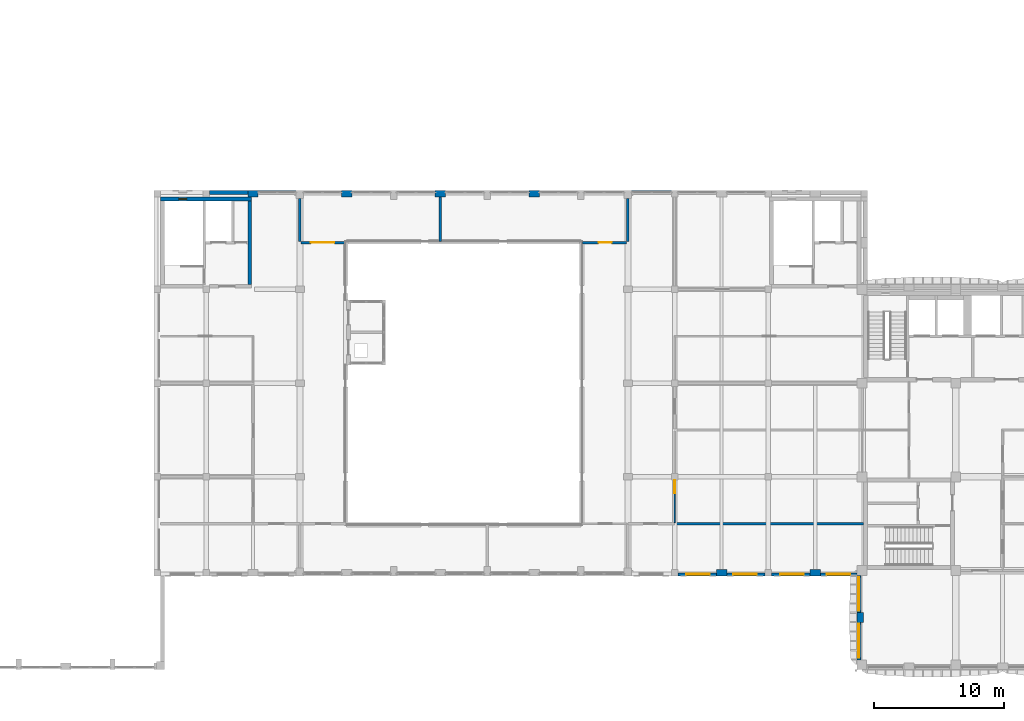
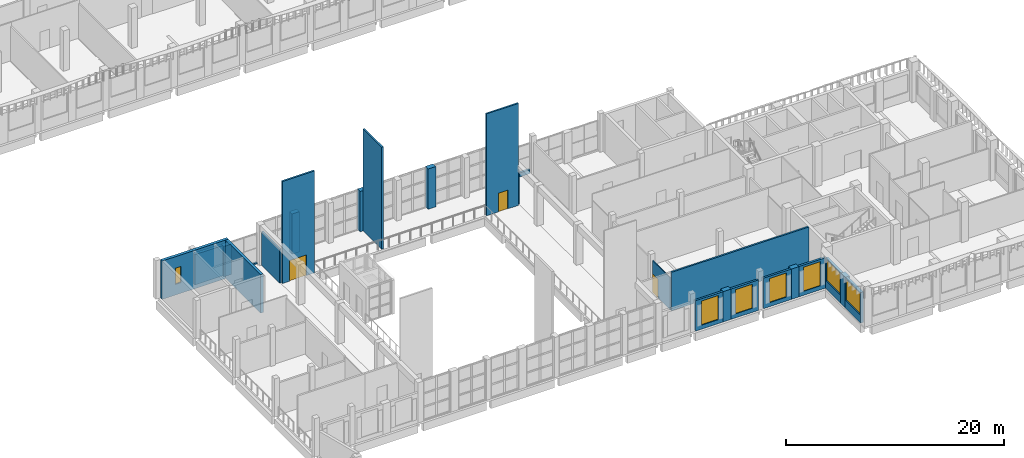
# One storey, part 19 of 54: 25 walls, 7 windows, 3 doors, 10 openings.
"""IFC4 building model written with IfcOpenShell, lengths in metres."""

from ifc_helpers import new_model, si_unit, direction, frame, frame_2d, origin, place, context, subcontext, project, spatial, rectangle, extrude, material, layer, layer_set, type_object, element, fill, save


model = new_model("IFC4")

# Units and contexts
model_context = context("Model", 3, precision=1e-05, world=origin(), true_north=direction((0.0, 1.0)))
body_context = subcontext(model_context, "Body", "Model", "MODEL_VIEW")
ifc_project = project(units=[si_unit("LENGTHUNIT", "METRE"), si_unit("AREAUNIT", "SQUARE_METRE"), si_unit("VOLUMEUNIT", "CUBIC_METRE"), si_unit("PLANEANGLEUNIT", "RADIAN"), si_unit("MASSUNIT", "GRAM", prefix="KILO")], contexts=[model_context])

# Site, building, storey
site_placement = place(None, origin())
site = spatial("IfcSite", under=ifc_project, at=site_placement, CompositionType="ELEMENT")
building_placement = place(site_placement, origin())
building = spatial("IfcBuilding", under=site, at=building_placement, Name="Ussher Court Research Institute", CompositionType="ELEMENT")
storey_placement = place(building_placement, frame((0.0, 0.0, 14.39990234375)))
storey = spatial("IfcBuildingStorey", under=building, at=storey_placement, Name="L03", CompositionType="ELEMENT", Elevation=14.39990234375)

# Wall
ifc_material_1 = material(Name="Plasterboard on steel studs with mineral wool", Category="steel")
ifc_layer_1 = layer(ifc_material_1, 0.179931640625)
ifc_layer_set_1 = layer_set([ifc_layer_1], Name="Plasterboard on steel studs with mineral wool")
wall_type_1 = type_object("IfcWallType", Name="Acoustic twin-stud partition 180", PredefinedType="PARTITIONING", material=ifc_layer_set_1)
wall_1_placement = place(storey_placement, frame((67.800048828125, 14.800048828125, 0.0), z_axis=(0.0, 0.0, 1.0), x_axis=(1.0, 0.0, 0.0)))
element("IfcWall", 1, at=wall_1_placement, inside=storey, type_object=wall_type_1, Name="Partition", PredefinedType="PARTITIONING", context=body_context, shape_type="SweptSolid", body=[
    extrude(rectangle(XDim=14.5, YDim=0.179931640625, at=frame_2d((7.25, 0.0))), origin(), (0.0, 0.0, 1.0), 4.300048828125),
])

# Wall, opening, door
wall_2_placement = place(storey_placement, frame((42.5, 36.39990234375, 0.0), z_axis=(0.0, 0.0, 1.0), x_axis=(-1.0, 0.0, 0.0)))
wall_2 = element("IfcWall", 2, at=wall_2_placement, inside=storey, type_object=wall_type_1, Name="Partition", PredefinedType="PARTITIONING", context=body_context, shape_type="SweptSolid", body=[
    extrude(rectangle(XDim=3.39990234375, YDim=0.179931640625, at=frame_2d((1.699951171875, 0.0))), origin(), (0.0, 0.0, 1.0), 11.400146484375),
])
opening_1_placement = place(wall_2_placement, frame((0.85009765625, 0.0, 0.0)))
opening_1 = element("IfcOpeningElement", 3, at=opening_1_placement, cuts=wall_2, Name="Opening D03016", PredefinedType="OPENING", context=body_context, shape_type="SweptSolid", body=[
    extrude(rectangle(XDim=1.800048828125, YDim=2.300048828125, at=frame_2d((0.89990234375, 1.14990234375))), frame((0.0, 0.10009765625, 0.0), z_axis=(0.0, -1.0, 0.0), x_axis=(1.0, 0.0, 0.0)), (0.0, 0.0, 1.0), 0.199951171875),
])
ifc_material_2 = material(Name="Veneered timber door", Category="wood")
door_type_1 = type_object("IfcDoorType", Name="Exhibition door 1800x2300 double leaf", OperationType="DOUBLE_DOOR_SINGLE_SWING", PredefinedType="DOOR", material=ifc_material_2)
door_1_placement = place(opening_1_placement, origin())
door_1 = element("IfcDoor", 4, at=door_1_placement, inside=storey, type_object=door_type_1, Name="Door D03016", OperationType="SINGLE_SWING_LEFT", OverallHeight=2.300048828125, OverallWidth=1.800048828125, PredefinedType="DOOR", context=body_context, shape_type="SweptSolid", body=[
    extrude(rectangle(XDim=1.800048828125, YDim=2.300048828125, at=frame_2d((0.89990234375, 1.14990234375))), frame((0.0, 0.02490234375, 0.0), z_axis=(0.0, -1.0, 0.0), x_axis=(1.0, 0.0, 0.0)), (0.0, 0.0, 1.0), 0.050048828125),
])
fill(opening_1, door_1)

wall_3_placement = place(storey_placement, frame((60.699951171875, 36.39990234375, 0.0), z_axis=(0.0, 0.0, 1.0), x_axis=(1.0, 0.0, 0.0)))
wall_3 = element("IfcWall", 5, at=wall_3_placement, inside=storey, type_object=wall_type_1, Name="Partition", PredefinedType="PARTITIONING", context=body_context, shape_type="SweptSolid", body=[
    extrude(rectangle(XDim=3.400146484375, YDim=0.179931640625, at=frame_2d((1.7001953125, 0.0))), origin(), (0.0, 0.0, 1.0), 11.400146484375),
])
opening_2_placement = place(wall_3_placement, frame((1.25, 0.0, 0.0)))
opening_2 = element("IfcOpeningElement", 6, at=opening_2_placement, cuts=wall_3, Name="Opening D03028", PredefinedType="OPENING", context=body_context, shape_type="SweptSolid", body=[
    extrude(rectangle(XDim=1.0, YDim=2.10009765625, at=frame_2d((0.5, 1.050048828125))), frame((0.0, 0.10009765625, 0.0), z_axis=(0.0, -1.0, 0.0), x_axis=(1.0, 0.0, 0.0)), (0.0, 0.0, 1.0), 0.199951171875),
])
ifc_material_3 = material(Name="Veneered timber door", Category="wood")
door_type_2 = type_object("IfcDoorType", Name="Meeting room door 1000x2100", OperationType="NOTDEFINED", PredefinedType="DOOR", material=ifc_material_3)
door_2_placement = place(opening_2_placement, origin())
door_2 = element("IfcDoor", 7, at=door_2_placement, inside=storey, type_object=door_type_2, Name="Door D03028", OperationType="SINGLE_SWING_RIGHT", OverallHeight=2.10009765625, OverallWidth=1.0, PredefinedType="DOOR", context=body_context, shape_type="SweptSolid", body=[
    extrude(rectangle(XDim=1.0, YDim=2.10009765625, at=frame_2d((0.5, 1.050048828125))), frame((0.0, 0.02490234375, 0.0), z_axis=(0.0, -1.0, 0.0), x_axis=(1.0, 0.0, 0.0)), (0.0, 0.0, 1.0), 0.050048828125),
])
fill(opening_2, door_2)

# Walls
wall_4_placement = place(storey_placement, frame((39.0, 36.489990234375, 0.0), z_axis=(0.0, 0.0, 1.0), x_axis=(0.0, 1.0, 0.0)))
element("IfcWall", 8, at=wall_4_placement, inside=storey, type_object=wall_type_1, Name="Partition", PredefinedType="PARTITIONING", context=body_context, shape_type="SweptSolid", body=[
    extrude(rectangle(XDim=3.31005859375, YDim=0.179931640625, at=frame_2d((1.655029296875, 0.0))), origin(), (0.0, 0.0, 1.0), 3.77001953125),
])
wall_5_placement = place(storey_placement, frame((49.800048828125, 36.5, 0.0), z_axis=(0.0, 0.0, 1.0), x_axis=(0.0, 1.0, 0.0)))
element("IfcWall", 9, at=wall_5_placement, inside=storey, type_object=wall_type_1, Name="Partition", PredefinedType="PARTITIONING", context=body_context, shape_type="SweptSolid", body=[
    extrude(rectangle(XDim=3.39990234375, YDim=0.179931640625, at=frame_2d((1.699951171875, 0.0))), origin(), (0.0, 0.0, 1.0), 11.400146484375),
])
wall_6_placement = place(storey_placement, frame((64.199951171875, 36.489990234375, 0.0), z_axis=(0.0, 0.0, 1.0), x_axis=(0.0, 1.0, 0.0)))
element("IfcWall", 10, at=wall_6_placement, inside=storey, type_object=wall_type_1, Name="Partition", PredefinedType="PARTITIONING", context=body_context, shape_type="SweptSolid", body=[
    extrude(rectangle(XDim=3.31005859375, YDim=0.179931640625, at=frame_2d((1.655029296875, 0.0))), origin(), (0.0, 0.0, 1.0), 3.77001953125),
])

# Wall, opening, window
ifc_material_4 = material(Name="Blockwork with cream render", Category="masonry")
ifc_layer_2 = layer(ifc_material_4, 0.300048828125)
ifc_layer_set_2 = layer_set([ifc_layer_2], Name="Blockwork with cream render")
wall_type_2 = type_object("IfcWallType", Name="External wall 300 cream render", PredefinedType="SOLIDWALL", material=ifc_layer_set_2)
wall_7_placement = place(storey_placement, frame((81.949951171875, 4.35009765625, 0.0), z_axis=(0.0, 0.0, 1.0), x_axis=(0.0, 1.0, 0.0)))
wall_7 = element("IfcWall", 11, at=wall_7_placement, inside=storey, type_object=wall_type_2, Name="External wall EW1 L03", PredefinedType="SOLIDWALL", context=body_context, shape_type="SweptSolid", body=[
    extrude(rectangle(XDim=2.849853515625, YDim=0.300048828125, at=frame_2d((1.4248046875, 0.0))), origin(), (0.0, 0.0, 1.0), 3.400146484375),
])
opening_3_placement = place(wall_7_placement, frame((0.14990234375, 0.0, 0.89990234375)))
opening_3 = element("IfcOpeningElement", 12, at=opening_3_placement, cuts=wall_7, Name="Opening W01", PredefinedType="OPENING", context=body_context, shape_type="SweptSolid", body=[
    extrude(rectangle(XDim=2.60009765625, YDim=2.39990234375, at=frame_2d((1.300048828125, 1.199951171875))), frame((0.0, 0.16015625, 0.0), z_axis=(0.0, -1.0, 0.0), x_axis=(1.0, 0.0, 0.0)), (0.0, 0.0, 1.0), 0.320068359375),
])
ifc_material_5 = material(Name="Bronze anodised aluminium with double glazing", Category="aluminium")
window_type_1 = type_object("IfcWindowType", Name="Laboratory bay window 2600x2400", PartitioningType="DOUBLE_PANEL_VERTICAL", PredefinedType="WINDOW", material=ifc_material_5)
window_1_placement = place(opening_3_placement, origin())
window_1 = element("IfcWindow", 13, at=window_1_placement, inside=storey, type_object=window_type_1, Name="Window W01 L03", OverallHeight=2.39990234375, OverallWidth=2.60009765625, PartitioningType="SINGLE_PANEL", PredefinedType="WINDOW", context=body_context, shape_type="SweptSolid", body=[
    extrude(rectangle(XDim=2.60009765625, YDim=2.39990234375, at=frame_2d((1.300048828125, 1.199951171875))), frame((0.0, 0.030029296875, 0.0), z_axis=(0.0, -1.0, 0.0), x_axis=(1.0, 0.0, 0.0)), (0.0, 0.0, 1.0), 0.06005859375),
])
fill(opening_3, window_1)

wall_8_placement = place(storey_placement, frame((81.949951171875, 8.0, 0.0), z_axis=(0.0, 0.0, 1.0), x_axis=(0.0, 1.0, 0.0)))
wall_8 = element("IfcWall", 14, at=wall_8_placement, inside=storey, type_object=wall_type_2, Name="External wall EW1 L03", PredefinedType="SOLIDWALL", context=body_context, shape_type="SweptSolid", body=[
    extrude(rectangle(XDim=2.824951171875, YDim=0.300048828125, at=frame_2d((1.41259765625, 0.0))), origin(), (0.0, 0.0, 1.0), 3.400146484375),
])
opening_4_placement = place(wall_8_placement, frame((0.10009765625, 0.0, 0.89990234375)))
opening_4 = element("IfcOpeningElement", 15, at=opening_4_placement, cuts=wall_8, Name="Opening W01", PredefinedType="OPENING", context=body_context, shape_type="SweptSolid", body=[
    extrude(rectangle(XDim=2.60009765625, YDim=2.39990234375, at=frame_2d((1.300048828125, 1.199951171875))), frame((0.0, 0.16015625, 0.0), z_axis=(0.0, -1.0, 0.0), x_axis=(1.0, 0.0, 0.0)), (0.0, 0.0, 1.0), 0.320068359375),
])
window_2_placement = place(opening_4_placement, origin())
window_2 = element("IfcWindow", 16, at=window_2_placement, inside=storey, type_object=window_type_1, Name="Window W01 L03", OverallHeight=2.39990234375, OverallWidth=2.60009765625, PartitioningType="SINGLE_PANEL", PredefinedType="WINDOW", context=body_context, shape_type="SweptSolid", body=[
    extrude(rectangle(XDim=2.60009765625, YDim=2.39990234375, at=frame_2d((1.300048828125, 1.199951171875))), frame((0.0, 0.030029296875, 0.0), z_axis=(0.0, -1.0, 0.0), x_axis=(1.0, 0.0, 0.0)), (0.0, 0.0, 1.0), 0.06005859375),
])
fill(opening_4, window_2)

# Walls
ifc_material_6 = material(Name="Limestone facing on blockwork", Category="masonry")
ifc_layer_3 = layer(ifc_material_6, 0.300048828125)
ifc_layer_set_3 = layer_set([ifc_layer_3], Name="Limestone facing on blockwork")
wall_type_3 = type_object("IfcWallType", Name="External wall 300 stair enclosure", PredefinedType="SOLIDWALL", material=ifc_layer_set_3)
wall_9_placement = place(storey_placement, frame((32.050048828125, 40.25, 0.0), z_axis=(0.0, 0.0, 1.0), x_axis=(1.0, 0.0, 0.0)))
element("IfcWall", 17, at=wall_9_placement, inside=storey, type_object=wall_type_3, Name="External wall EW5 L03", PredefinedType="SOLIDWALL", context=body_context, shape_type="SweptSolid", body=[
    extrude(rectangle(XDim=2.949951171875, YDim=0.300048828125, at=frame_2d((1.47509765625, 0.0))), origin(), (0.0, 0.0, 1.0), 3.400146484375),
])
ifc_material_7 = material(Name="Limestone facing on insulated blockwork", Category="masonry")
ifc_layer_4 = layer(ifc_material_7, 0.219970703125)
ifc_layer_set_4 = layer_set([ifc_layer_4], Name="Limestone facing on insulated blockwork")
wall_type_4 = type_object("IfcWallType", Name="Link wall 220 limestone faced insulated block", PredefinedType="SOLIDWALL", material=ifc_layer_set_4)
wall_10_placement = place(storey_placement, frame((35.800048828125, 40.2900390625, 0.0), z_axis=(0.0, 0.0, 1.0), x_axis=(1.0, 0.0, 0.0)))
element("IfcWall", 18, at=wall_10_placement, inside=storey, type_object=wall_type_4, Name="Plinth wall EW6 L03", PredefinedType="SOLIDWALL", context=body_context, shape_type="SweptSolid", body=[
    extrude(rectangle(XDim=2.89990234375, YDim=0.219970703125, at=frame_2d((1.449951171875, 0.0))), origin(), (0.0, 0.0, 1.0), 0.150146484375),
])
wall_11_placement = place(storey_placement, frame((64.5, 40.2900390625, 0.0), z_axis=(0.0, 0.0, 1.0), x_axis=(1.0, 0.0, 0.0)))
element("IfcWall", 19, at=wall_11_placement, inside=storey, type_object=wall_type_4, Name="Plinth wall EW6 L03", PredefinedType="SOLIDWALL", context=body_context, shape_type="SweptSolid", body=[
    extrude(rectangle(XDim=3.050048828125, YDim=0.219970703125, at=frame_2d((1.52490234375, 0.0))), origin(), (0.0, 0.0, 1.0), 0.4501953125),
])

# Wall, opening, window
wall_12_placement = place(storey_placement, frame((81.824951171875, 10.909912109375, 0.0), z_axis=(0.0, 0.0, 1.0), x_axis=(-1.0, 0.0, 0.0)))
wall_12 = element("IfcWall", 20, at=wall_12_placement, inside=storey, type_object=wall_type_4, Name="External wall EW6 L03", PredefinedType="SOLIDWALL", context=body_context, shape_type="SweptSolid", body=[
    extrude(rectangle(XDim=2.824951171875, YDim=0.219970703125, at=frame_2d((1.41259765625, 0.0))), origin(), (0.0, 0.0, 1.0), 3.400146484375),
])
opening_5_placement = place(wall_12_placement, frame((0.52490234375, 0.0, 0.449951171875)))
opening_5 = element("IfcOpeningElement", 21, at=opening_5_placement, cuts=wall_12, Name="Opening W20", PredefinedType="OPENING", context=body_context, shape_type="SweptSolid", body=[
    extrude(rectangle(XDim=1.800048828125, YDim=2.699951171875, at=frame_2d((0.89990234375, 1.35009765625))), frame((0.0, 0.1201171875, 0.0), z_axis=(0.0, -1.0, 0.0), x_axis=(1.0, 0.0, 0.0)), (0.0, 0.0, 1.0), 0.239990234375),
])
ifc_material_8 = material(Name="Bronze anodised aluminium with double glazing", Category="aluminium")
window_type_2 = type_object("IfcWindowType", Name="Reading gallery window 1800x2700", PartitioningType="DOUBLE_PANEL_VERTICAL", PredefinedType="WINDOW", material=ifc_material_8)
window_3_placement = place(opening_5_placement, origin())
window_3 = element("IfcWindow", 22, at=window_3_placement, inside=storey, type_object=window_type_2, Name="Window W20 L03", OverallHeight=2.699951171875, OverallWidth=1.800048828125, PartitioningType="SINGLE_PANEL", PredefinedType="WINDOW", context=body_context, shape_type="SweptSolid", body=[
    extrude(rectangle(XDim=1.800048828125, YDim=2.699951171875, at=frame_2d((0.89990234375, 1.35009765625))), frame((0.0, 0.030029296875, 0.0), z_axis=(0.0, -1.0, 0.0), x_axis=(1.0, 0.0, 0.0)), (0.0, 0.0, 1.0), 0.06005859375),
])
fill(opening_5, window_3)

wall_13_placement = place(storey_placement, frame((78.199951171875, 10.909912109375, 0.0), z_axis=(0.0, 0.0, 1.0), x_axis=(-1.0, 0.0, 0.0)))
wall_13 = element("IfcWall", 23, at=wall_13_placement, inside=storey, type_object=wall_type_4, Name="External wall EW6 L03", PredefinedType="SOLIDWALL", context=body_context, shape_type="SweptSolid", body=[
    extrude(rectangle(XDim=2.949951171875, YDim=0.219970703125, at=frame_2d((1.47509765625, 0.0))), origin(), (0.0, 0.0, 1.0), 3.400146484375),
])
opening_6_placement = place(wall_13_placement, frame((0.5, 0.0, 0.449951171875)))
opening_6 = element("IfcOpeningElement", 24, at=opening_6_placement, cuts=wall_13, Name="Opening W20", PredefinedType="OPENING", context=body_context, shape_type="SweptSolid", body=[
    extrude(rectangle(XDim=1.800048828125, YDim=2.699951171875, at=frame_2d((0.89990234375, 1.35009765625))), frame((0.0, 0.1201171875, 0.0), z_axis=(0.0, -1.0, 0.0), x_axis=(1.0, 0.0, 0.0)), (0.0, 0.0, 1.0), 0.239990234375),
])
window_4_placement = place(opening_6_placement, origin())
window_4 = element("IfcWindow", 25, at=window_4_placement, inside=storey, type_object=window_type_2, Name="Window W20 L03", OverallHeight=2.699951171875, OverallWidth=1.800048828125, PartitioningType="SINGLE_PANEL", PredefinedType="WINDOW", context=body_context, shape_type="SweptSolid", body=[
    extrude(rectangle(XDim=1.800048828125, YDim=2.699951171875, at=frame_2d((0.89990234375, 1.35009765625))), frame((0.0, 0.030029296875, 0.0), z_axis=(0.0, -1.0, 0.0), x_axis=(1.0, 0.0, 0.0)), (0.0, 0.0, 1.0), 0.06005859375),
])
fill(opening_6, window_4)

wall_14_placement = place(storey_placement, frame((74.75, 10.909912109375, 0.0), z_axis=(0.0, 0.0, 1.0), x_axis=(-1.0, 0.0, 0.0)))
wall_14 = element("IfcWall", 26, at=wall_14_placement, inside=storey, type_object=wall_type_4, Name="External wall EW6 L03", PredefinedType="SOLIDWALL", context=body_context, shape_type="SweptSolid", body=[
    extrude(rectangle(XDim=2.949951171875, YDim=0.219970703125, at=frame_2d((1.47509765625, 0.0))), origin(), (0.0, 0.0, 1.0), 3.400146484375),
])
opening_7_placement = place(wall_14_placement, frame((0.64990234375, 0.0, 0.449951171875)))
opening_7 = element("IfcOpeningElement", 27, at=opening_7_placement, cuts=wall_14, Name="Opening W20", PredefinedType="OPENING", context=body_context, shape_type="SweptSolid", body=[
    extrude(rectangle(XDim=1.800048828125, YDim=2.699951171875, at=frame_2d((0.89990234375, 1.35009765625))), frame((0.0, 0.1201171875, 0.0), z_axis=(0.0, -1.0, 0.0), x_axis=(1.0, 0.0, 0.0)), (0.0, 0.0, 1.0), 0.239990234375),
])
window_5_placement = place(opening_7_placement, origin())
window_5 = element("IfcWindow", 28, at=window_5_placement, inside=storey, type_object=window_type_2, Name="Window W20 L03", OverallHeight=2.699951171875, OverallWidth=1.800048828125, PartitioningType="SINGLE_PANEL", PredefinedType="WINDOW", context=body_context, shape_type="SweptSolid", body=[
    extrude(rectangle(XDim=1.800048828125, YDim=2.699951171875, at=frame_2d((0.89990234375, 1.35009765625))), frame((0.0, 0.030029296875, 0.0), z_axis=(0.0, -1.0, 0.0), x_axis=(1.0, 0.0, 0.0)), (0.0, 0.0, 1.0), 0.06005859375),
])
fill(opening_7, window_5)

wall_15_placement = place(storey_placement, frame((71.0, 10.909912109375, 0.0), z_axis=(0.0, 0.0, 1.0), x_axis=(-1.0, 0.0, 0.0)))
wall_15 = element("IfcWall", 29, at=wall_15_placement, inside=storey, type_object=wall_type_4, Name="External wall EW6 L03", PredefinedType="SOLIDWALL", context=body_context, shape_type="SweptSolid", body=[
    extrude(rectangle(XDim=2.949951171875, YDim=0.219970703125, at=frame_2d((1.47509765625, 0.0))), origin(), (0.0, 0.0, 1.0), 3.400146484375),
])
opening_8_placement = place(wall_15_placement, frame((0.5, 0.0, 0.449951171875)))
opening_8 = element("IfcOpeningElement", 30, at=opening_8_placement, cuts=wall_15, Name="Opening W20", PredefinedType="OPENING", context=body_context, shape_type="SweptSolid", body=[
    extrude(rectangle(XDim=1.800048828125, YDim=2.699951171875, at=frame_2d((0.89990234375, 1.35009765625))), frame((0.0, 0.1201171875, 0.0), z_axis=(0.0, -1.0, 0.0), x_axis=(1.0, 0.0, 0.0)), (0.0, 0.0, 1.0), 0.239990234375),
])
window_6_placement = place(opening_8_placement, origin())
window_6 = element("IfcWindow", 31, at=window_6_placement, inside=storey, type_object=window_type_2, Name="Window W20 L03", OverallHeight=2.699951171875, OverallWidth=1.800048828125, PartitioningType="SINGLE_PANEL", PredefinedType="WINDOW", context=body_context, shape_type="SweptSolid", body=[
    extrude(rectangle(XDim=1.800048828125, YDim=2.699951171875, at=frame_2d((0.89990234375, 1.35009765625))), frame((0.0, 0.030029296875, 0.0), z_axis=(0.0, -1.0, 0.0), x_axis=(1.0, 0.0, 0.0)), (0.0, 0.0, 1.0), 0.06005859375),
])
fill(opening_8, window_6)

# Wall, opening, door
ifc_material_9 = material(Name="Plastered blockwork", Category="masonry")
ifc_layer_5 = layer(ifc_material_9, 0.10009765625)
ifc_layer_set_5 = layer_set([ifc_layer_5], Name="Plastered blockwork")
wall_type_5 = type_object("IfcWallType", Name="Partition plastered blockwork 100", PredefinedType="PARTITIONING", material=ifc_layer_set_5)
wall_16_placement = place(storey_placement, frame((67.800048828125, 18.14990234375, 0.0), z_axis=(0.0, 0.0, 1.0), x_axis=(0.0, -1.0, 0.0)))
wall_16 = element("IfcWall", 32, at=wall_16_placement, inside=storey, type_object=wall_type_5, Name="Partition", PredefinedType="PARTITIONING", context=body_context, shape_type="SweptSolid", body=[
    extrude(rectangle(XDim=3.260009765625, YDim=0.10009765625, at=frame_2d((1.6298828125, 0.0))), origin(), (0.0, 0.0, 1.0), 3.570068359375),
])
opening_9_placement = place(wall_16_placement, origin())
opening_9 = element("IfcOpeningElement", 33, at=opening_9_placement, cuts=wall_16, Name="Opening D03031", PredefinedType="OPENING", context=body_context, shape_type="SweptSolid", body=[
    extrude(rectangle(XDim=1.0, YDim=2.10009765625, at=frame_2d((0.5, 1.050048828125))), frame((0.0, 0.06005859375, 0.0), z_axis=(0.0, -1.0, 0.0), x_axis=(1.0, 0.0, 0.0)), (0.0, 0.0, 1.0), 0.1201171875),
])
ifc_material_10 = material(Name="Veneered timber door", Category="wood")
door_type_3 = type_object("IfcDoorType", Name="Office door 1000x2100", OperationType="NOTDEFINED", PredefinedType="DOOR", material=ifc_material_10)
door_3_placement = place(opening_9_placement, origin())
door_3 = element("IfcDoor", 34, at=door_3_placement, inside=storey, type_object=door_type_3, Name="Door D03031", OperationType="SINGLE_SWING_LEFT", OverallHeight=2.10009765625, OverallWidth=1.0, PredefinedType="DOOR", context=body_context, shape_type="SweptSolid", body=[
    extrude(rectangle(XDim=1.0, YDim=2.10009765625, at=frame_2d((0.5, 1.050048828125))), frame((0.0, 0.02490234375, 0.0), z_axis=(0.0, -1.0, 0.0), x_axis=(1.0, 0.0, 0.0)), (0.0, 0.0, 1.0), 0.050048828125),
])
fill(opening_9, door_3)

# Walls
ifc_material_11 = material(Name="Blockwork with cream render", Category="masonry")
ifc_layer_6 = layer(ifc_material_11, 0.5)
ifc_layer_set_6 = layer_set([ifc_layer_6], Name="Blockwork with cream render")
wall_type_6 = type_object("IfcWallType", Name="Pier 800x500 cream render", PredefinedType="SOLIDWALL", material=ifc_layer_set_6)
wall_17_placement = place(storey_placement, frame((82.050048828125, 7.199951171875, 0.0), z_axis=(0.0, 0.0, 1.0), x_axis=(0.0, 1.0, 0.0)))
element("IfcWall", 35, at=wall_17_placement, inside=storey, type_object=wall_type_6, Name="Pier PR1 L03", PredefinedType="SOLIDWALL", context=body_context, shape_type="SweptSolid", body=[
    extrude(rectangle(XDim=0.800048828125, YDim=0.5, at=frame_2d((0.39990234375, 0.0))), origin(), (0.0, 0.0, 1.0), 3.400146484375),
])
ifc_material_12 = material(Name="Rusticated limestone facing on blockwork", Category="masonry")
ifc_layer_7 = layer(ifc_material_12, 0.5)
ifc_layer_set_7 = layer_set([ifc_layer_7], Name="Rusticated limestone facing on blockwork")
wall_type_7 = type_object("IfcWallType", Name="Pier 800x500 rusticated limestone", PredefinedType="SOLIDWALL", material=ifc_layer_set_7)
wall_18_placement = place(storey_placement, frame((35.0, 40.14990234375, 0.0), z_axis=(0.0, 0.0, 1.0), x_axis=(1.0, 0.0, 0.0)))
element("IfcWall", 36, at=wall_18_placement, inside=storey, type_object=wall_type_7, Name="Pier PR2 L03", PredefinedType="SOLIDWALL", context=body_context, shape_type="SweptSolid", body=[
    extrude(rectangle(XDim=0.800048828125, YDim=0.5, at=frame_2d((0.39990234375, 0.0))), origin(), (0.0, 0.0, 1.0), 3.400146484375),
])
for number, where, z_axis, x_axis, name in (
    (37, (42.199951171875, 40.14990234375, 0.0), (0.0, 0.0, 1.0), (1.0, 0.0, 0.0), "Pier PR2 L03"),
    (38, (49.39990234375, 40.14990234375, 0.0), (0.0, 0.0, 1.0), (1.0, 0.0, 0.0), "Pier PR2 L03"),
):
    element("IfcWall", number, at=place(storey_placement, frame(where, z_axis=z_axis, x_axis=x_axis)), inside=storey, type_object=wall_type_7, Name=name, PredefinedType="SOLIDWALL", context=body_context, shape_type="SweptSolid", body=[
        extrude(rectangle(XDim=0.800048828125, YDim=0.5, at=frame_2d((0.39990234375, 0.0))), origin(), (0.0, 0.0, 1.0), 4.5),
    ])
wall_19_placement = place(storey_placement, frame((56.60009765625, 40.14990234375, 0.0), z_axis=(0.0, 0.0, 1.0), x_axis=(1.0, 0.0, 0.0)))
element("IfcWall", 39, at=wall_19_placement, inside=storey, type_object=wall_type_7, Name="Pier PR2 L03", PredefinedType="SOLIDWALL", context=body_context, shape_type="SweptSolid", body=[
    extrude(rectangle(XDim=0.7998046875, YDim=0.5, at=frame_2d((0.39990234375, 0.0))), origin(), (0.0, 0.0, 1.0), 4.5),
])
for number, where, z_axis, x_axis, name in (
    (40, (79.0, 11.050048828125, 0.0), (0.0, 0.0, 1.0), (-1.0, 0.0, 0.0), "Pier PR2 L03"),
    (41, (71.800048828125, 11.050048828125, 0.0), (0.0, 0.0, 1.0), (-1.0, 0.0, 0.0), "Pier PR2 L03"),
):
    element("IfcWall", number, at=place(storey_placement, frame(where, z_axis=z_axis, x_axis=x_axis)), inside=storey, type_object=wall_type_7, Name=name, PredefinedType="SOLIDWALL", context=body_context, shape_type="SweptSolid", body=[
        extrude(rectangle(XDim=0.800048828125, YDim=0.5, at=frame_2d((0.39990234375, 0.0))), origin(), (0.0, 0.0, 1.0), 3.400146484375),
    ])

# Wall, opening, window
ifc_material_13 = material(Name="Concrete C35/45", Category="concrete")
ifc_layer_8 = layer(ifc_material_13, 0.300048828125)
ifc_layer_set_8 = layer_set([ifc_layer_8], Name="Concrete C35/45")
wall_type_8 = type_object("IfcWallType", Name="RC core wall 300", PredefinedType="SHEAR", material=ifc_layer_set_8)
wall_20_placement = place(storey_placement, frame((28.300048828125, 39.75, 0.0), z_axis=(0.0, 0.0, 1.0), x_axis=(1.0, 0.0, 0.0)))
wall_20 = element("IfcWall", 42, at=wall_20_placement, inside=storey, type_object=wall_type_8, Name="Core wall W1", PredefinedType="SHEAR", context=body_context, shape_type="SweptSolid", body=[
    extrude(rectangle(XDim=7.0, YDim=0.300048828125, at=frame_2d((3.5, 0.0))), origin(), (0.0, 0.0, 1.0), 4.300048828125),
])
opening_10_placement = place(wall_20_placement, frame((1.39990234375, 0.0, 1.199951171875)))
opening_10 = element("IfcOpeningElement", 43, at=opening_10_placement, cuts=wall_20, Name="Opening W25", PredefinedType="OPENING", context=body_context, shape_type="SweptSolid", body=[
    extrude(rectangle(XDim=0.60009765625, YDim=1.800048828125, at=frame_2d((0.300048828125, 0.89990234375))), frame((0.0, 0.16015625, 0.0), z_axis=(0.0, -1.0, 0.0), x_axis=(1.0, 0.0, 0.0)), (0.0, 0.0, 1.0), 0.320068359375),
])
ifc_material_14 = material(Name="Bronze anodised aluminium with double glazing", Category="aluminium")
window_type_3 = type_object("IfcWindowType", Name="Stair light slot window 600x1800 fire-resisting glazing", PartitioningType="SINGLE_PANEL", PredefinedType="WINDOW", material=ifc_material_14)
window_7_placement = place(opening_10_placement, origin())
window_7 = element("IfcWindow", 44, at=window_7_placement, inside=storey, type_object=window_type_3, Name="Window stair light W1 L03", OverallHeight=1.800048828125, OverallWidth=0.60009765625, PartitioningType="SINGLE_PANEL", PredefinedType="WINDOW", context=body_context, shape_type="SweptSolid", body=[
    extrude(rectangle(XDim=0.60009765625, YDim=1.800048828125, at=frame_2d((0.300048828125, 0.89990234375))), frame((0.0, 0.030029296875, 0.0), z_axis=(0.0, -1.0, 0.0), x_axis=(1.0, 0.0, 0.0)), (0.0, 0.0, 1.0), 0.06005859375),
])
fill(opening_10, window_7)

# Wall
wall_21_placement = place(storey_placement, frame((35.14990234375, 33.199951171875, 0.0), z_axis=(0.0, 0.0, 1.0), x_axis=(0.0, 1.0, 0.0)))
element("IfcWall", 45, at=wall_21_placement, inside=storey, type_object=wall_type_8, Name="Core wall W1", PredefinedType="SHEAR", context=body_context, shape_type="SweptSolid", body=[
    extrude(rectangle(XDim=6.400146484375, YDim=0.300048828125, at=frame_2d((3.2001953125, 0.0))), origin(), (0.0, 0.0, 1.0), 4.300048828125),
])

save(model, "model.ifc")
